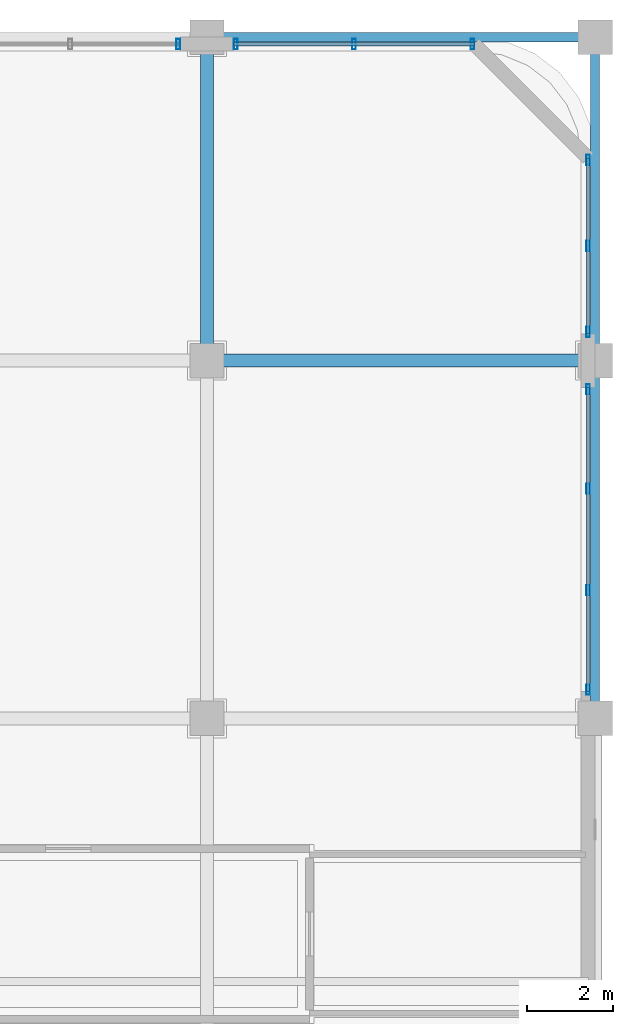
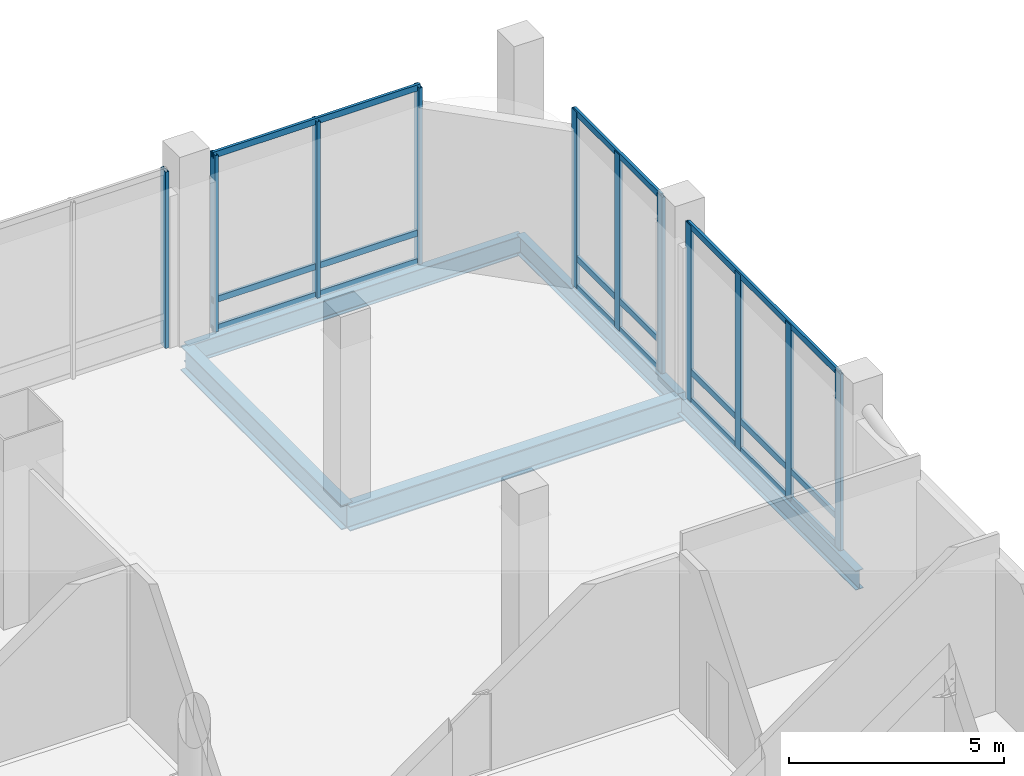
# One storey, part 18 of 35: 20 members, 5 beams, 4 elements without a shape of their own.
"""IFC4 building model written with IfcOpenShell, lengths in metres."""

from ifc_helpers import new_model, si_unit, direction, frame, origin, origin_2d, place, context, subcontext, project, spatial, hollow_rectangle, i_section, extrude, material, material_profile, profile_set, type_object, element, aggregate, save


model = new_model("IFC4")

# Units and contexts
model_context = context("Model", 3, precision=1e-05, world=origin(), true_north=direction((0.0, 1.0)))
body_context = subcontext(model_context, "Body", "Model", "MODEL_VIEW")
ifc_project = project(units=[si_unit("LENGTHUNIT", "METRE"), si_unit("AREAUNIT", "SQUARE_METRE"), si_unit("VOLUMEUNIT", "CUBIC_METRE"), si_unit("PLANEANGLEUNIT", "RADIAN"), si_unit("MASSUNIT", "GRAM", prefix="KILO")], contexts=[model_context])

# Site, building, storey
site_placement = place(None, origin())
site = spatial("IfcSite", under=ifc_project, at=site_placement, CompositionType="ELEMENT")
building_placement = place(site_placement, origin())
building = spatial("IfcBuilding", under=site, at=building_placement, Name="Punatoya Terracotta Tower", CompositionType="ELEMENT")
storey_placement = place(building_placement, frame((0.0, 0.0, 16.800048828125)))
storey = spatial("IfcBuildingStorey", under=building, at=storey_placement, Name="L03", CompositionType="ELEMENT", Elevation=16.800048828125)

# Beams
ifc_material_1 = material(Name="Steel S355", Category="steel")
ifc_material_profile_1 = material_profile(ifc_material_1, i_section(OverallWidth=0.300048828125, OverallDepth=0.699951171875, WebThickness=0.01708984375, FlangeThickness=0.031982421875, FilletRadius=0.01806640625, at=origin_2d()))
ifc_profile_set_1 = profile_set([ifc_material_profile_1], Name="Steel S355")
beam_type_1 = type_object("IfcBeamType", Name="BM-PRI-700", PredefinedType="BEAM", material=ifc_profile_set_1)
beam_1_placement = place(storey_placement, frame((28.0, 17.5, -0.630126953125), z_axis=(1.0, 0.0, 0.0), x_axis=(0.0, 1.0, 0.0)))
element("IfcBeam", 1, at=beam_1_placement, inside=storey, type_object=beam_type_1, Name="BM-L03-GE2", PredefinedType="BEAM", context=body_context, shape_type="SweptSolid", body=[
    extrude(i_section(OverallWidth=0.300048828125, OverallDepth=0.699951171875, WebThickness=0.01708984375, FlangeThickness=0.031982421875, FilletRadius=0.01806640625, at=origin_2d()), origin(), (0.0, 0.0, 1.0), 9.0),
])
beam_2_placement = place(storey_placement, frame((28.0, 17.5, -0.630126953125), z_axis=(0.0, 1.0, 0.0), x_axis=(-1.0, 0.0, 0.0)))
element("IfcBeam", 2, at=beam_2_placement, inside=storey, type_object=beam_type_1, Name="BM-L03-X28E-17", PredefinedType="BEAM", context=body_context, shape_type="SweptSolid", body=[
    extrude(i_section(OverallWidth=0.300048828125, OverallDepth=0.699951171875, WebThickness=0.01708984375, FlangeThickness=0.031982421875, FilletRadius=0.01806640625, at=origin_2d()), origin(), (0.0, 0.0, 1.0), 7.5),
])
ifc_material_profile_2 = material_profile(ifc_material_1, i_section(OverallWidth=0.2099609375, OverallDepth=0.550048828125, WebThickness=0.010986328125, FlangeThickness=0.01708984375, FilletRadius=0.01806640625, at=origin_2d()))
ifc_profile_set_2 = profile_set([ifc_material_profile_2], Name="Steel S355")
beam_type_2 = type_object("IfcBeamType", Name="BM-SPN-550", PredefinedType="SPANDREL", material=ifc_profile_set_2)
beam_3_placement = place(storey_placement, frame((28.0, 25.0, -0.554931640625), z_axis=(1.0, 0.0, 0.0), x_axis=(0.0, 1.0, 0.0)))
element("IfcBeam", 3, at=beam_3_placement, inside=storey, type_object=beam_type_2, Name="BM-L03-HE2", PredefinedType="SPANDREL", context=body_context, shape_type="SweptSolid", body=[
    extrude(i_section(OverallWidth=0.2099609375, OverallDepth=0.550048828125, WebThickness=0.010986328125, FlangeThickness=0.01708984375, FilletRadius=0.01806640625, at=origin_2d()), origin(), (0.0, 0.0, 1.0), 9.0),
])
beam_4_placement = place(storey_placement, frame((37.0, 9.199951171875, -0.554931640625), z_axis=(0.0, 1.0, 0.0), x_axis=(-1.0, 0.0, 0.0)))
element("IfcBeam", 4, at=beam_4_placement, inside=storey, type_object=beam_type_2, Name="BM-L03-X37E-9", PredefinedType="SPANDREL", context=body_context, shape_type="SweptSolid", body=[
    extrude(i_section(OverallWidth=0.2099609375, OverallDepth=0.550048828125, WebThickness=0.010986328125, FlangeThickness=0.01708984375, FilletRadius=0.01806640625, at=origin_2d()), origin(), (0.0, 0.0, 1.0), 8.300048828125),
])
beam_5_placement = place(storey_placement, frame((37.0, 17.5, -0.554931640625), z_axis=(0.0, 1.0, 0.0), x_axis=(-1.0, 0.0, 0.0)))
element("IfcBeam", 5, at=beam_5_placement, inside=storey, type_object=beam_type_2, Name="BM-L03-X37E-17", PredefinedType="SPANDREL", context=body_context, shape_type="SweptSolid", body=[
    extrude(i_section(OverallWidth=0.2099609375, OverallDepth=0.550048828125, WebThickness=0.010986328125, FlangeThickness=0.01708984375, FilletRadius=0.01806640625, at=origin_2d()), origin(), (0.0, 0.0, 1.0), 7.5),
])

# Curtain wall, member
ifc_material_2 = material(Name="Aluminium 6063-T6 + Double Low-E Glass", Category="aluminium")
curtain_wall_type = type_object("IfcCurtainWallType", Name="CW-POD", PredefinedType="NOTDEFINED", material=ifc_material_2)
curtain_wall_1_placement = place(storey_placement, origin())
curtain_wall_1 = element("IfcCurtainWall", 6, at=curtain_wall_1_placement, inside=storey, type_object=curtain_wall_type, Name="L03 Curtain Wall CWP-L03-N6", PredefinedType="NOTDEFINED")
ifc_material_3 = material(Name="Aluminium 6063-T6", Category="aluminium")
ifc_material_profile_3 = material_profile(ifc_material_3, hollow_rectangle(XDim=0.0849609375, YDim=0.239990234375, WallThickness=0.0048828125, at=origin_2d()))
ifc_profile_set_3 = profile_set([ifc_material_profile_3], Name="Aluminium 6063-T6")
member_type_1 = type_object("IfcMemberType", Name="CW-MUL-POD", PredefinedType="MULLION", material=ifc_profile_set_3)
member_1_placement = place(storey_placement, frame((27.3349609375, 24.840087890625, 0.0), z_axis=(0.0, 0.0, 1.0), x_axis=(1.0, 0.0, 0.0)))
member_1 = element("IfcMember", 7, at=member_1_placement, type_object=member_type_1, Name="CWP-L03-N6 Mullion 00", PredefinedType="MULLION", context=body_context, shape_type="SweptSolid", body=[
    extrude(hollow_rectangle(XDim=0.0849609375, YDim=0.239990234375, WallThickness=0.0048828125, at=origin_2d()), origin(), (0.0, 0.0, 1.0), 5.02001953125),
])
aggregate(curtain_wall_1, [member_1])

# Curtain wall, members
curtain_wall_2_placement = place(storey_placement, origin())
curtain_wall_2 = element("IfcCurtainWall", 8, at=curtain_wall_2_placement, inside=storey, type_object=curtain_wall_type, Name="L03 Curtain Wall CWP-L03-N7", PredefinedType="NOTDEFINED")
member_2_placement = place(storey_placement, frame((34.155029296875, 24.840087890625, 0.0), z_axis=(0.0, 0.0, 1.0), x_axis=(1.0, 0.0, 0.0)))
member_2 = element("IfcMember", 9, at=member_2_placement, type_object=member_type_1, Name="CWP-L03-N7 Mullion 00", PredefinedType="MULLION", context=body_context, shape_type="SweptSolid", body=[
    extrude(hollow_rectangle(XDim=0.0849609375, YDim=0.239990234375, WallThickness=0.0048828125, at=origin_2d()), origin(), (0.0, 0.0, 1.0), 5.02001953125),
])
member_3_placement = place(storey_placement, frame((31.409912109375, 24.840087890625, 0.0), z_axis=(0.0, 0.0, 1.0), x_axis=(1.0, 0.0, 0.0)))
member_3 = element("IfcMember", 10, at=member_3_placement, type_object=member_type_1, Name="CWP-L03-N7 Mullion 01", PredefinedType="MULLION", context=body_context, shape_type="SweptSolid", body=[
    extrude(hollow_rectangle(XDim=0.0849609375, YDim=0.239990234375, WallThickness=0.0048828125, at=origin_2d()), origin(), (0.0, 0.0, 1.0), 5.02001953125),
])
member_4_placement = place(storey_placement, frame((28.6650390625, 24.840087890625, 0.0), z_axis=(0.0, 0.0, 1.0), x_axis=(1.0, 0.0, 0.0)))
member_4 = element("IfcMember", 11, at=member_4_placement, type_object=member_type_1, Name="CWP-L03-N7 Mullion 02", PredefinedType="MULLION", context=body_context, shape_type="SweptSolid", body=[
    extrude(hollow_rectangle(XDim=0.0849609375, YDim=0.239990234375, WallThickness=0.0048828125, at=origin_2d()), origin(), (0.0, 0.0, 1.0), 5.02001953125),
])

curtain_wall_3_placement = place(storey_placement, origin())
curtain_wall_3 = element("IfcCurtainWall", 12, at=curtain_wall_3_placement, inside=storey, type_object=curtain_wall_type, Name="L03 Curtain Wall CWP-L03-E3", PredefinedType="NOTDEFINED")
member_5_placement = place(storey_placement, frame((36.840087890625, 16.8349609375, 0.0), z_axis=(0.0, 0.0, 1.0), x_axis=(1.0, 0.0, 0.0)))
member_5 = element("IfcMember", 13, at=member_5_placement, type_object=member_type_1, Name="CWP-L03-E3 Mullion 00", PredefinedType="MULLION", context=body_context, shape_type="SweptSolid", body=[
    extrude(hollow_rectangle(XDim=0.0849609375, YDim=0.239990234375, WallThickness=0.0048828125, at=origin_2d()), origin(), (0.0, 0.0, 1.0), 5.02001953125),
])
member_6_placement = place(storey_placement, frame((36.840087890625, 14.526611328125, 0.0), z_axis=(0.0, 0.0, 1.0), x_axis=(1.0, 0.0, 0.0)))
member_6 = element("IfcMember", 14, at=member_6_placement, type_object=member_type_1, Name="CWP-L03-E3 Mullion 01", PredefinedType="MULLION", context=body_context, shape_type="SweptSolid", body=[
    extrude(hollow_rectangle(XDim=0.0849609375, YDim=0.239990234375, WallThickness=0.0048828125, at=origin_2d()), origin(), (0.0, 0.0, 1.0), 5.02001953125),
])
member_7_placement = place(storey_placement, frame((36.840087890625, 12.17333984375, 0.0), z_axis=(0.0, 0.0, 1.0), x_axis=(1.0, 0.0, 0.0)))
member_7 = element("IfcMember", 15, at=member_7_placement, type_object=member_type_1, Name="CWP-L03-E3 Mullion 02", PredefinedType="MULLION", context=body_context, shape_type="SweptSolid", body=[
    extrude(hollow_rectangle(XDim=0.0849609375, YDim=0.239990234375, WallThickness=0.0048828125, at=origin_2d()), origin(), (0.0, 0.0, 1.0), 5.02001953125),
])
member_8_placement = place(storey_placement, frame((36.840087890625, 9.864990234375, 0.0), z_axis=(0.0, 0.0, 1.0), x_axis=(1.0, 0.0, 0.0)))
member_8 = element("IfcMember", 16, at=member_8_placement, type_object=member_type_1, Name="CWP-L03-E3 Mullion 03", PredefinedType="MULLION", context=body_context, shape_type="SweptSolid", body=[
    extrude(hollow_rectangle(XDim=0.0849609375, YDim=0.239990234375, WallThickness=0.0048828125, at=origin_2d()), origin(), (0.0, 0.0, 1.0), 5.02001953125),
])

curtain_wall_4_placement = place(storey_placement, origin())
curtain_wall_4 = element("IfcCurtainWall", 17, at=curtain_wall_4_placement, inside=storey, type_object=curtain_wall_type, Name="L03 Curtain Wall CWP-L03-E4", PredefinedType="NOTDEFINED")
member_9_placement = place(storey_placement, frame((36.840087890625, 22.155029296875, 0.0), z_axis=(0.0, 0.0, 1.0), x_axis=(1.0, 0.0, 0.0)))
member_9 = element("IfcMember", 18, at=member_9_placement, type_object=member_type_1, Name="CWP-L03-E4 Mullion 00", PredefinedType="MULLION", context=body_context, shape_type="SweptSolid", body=[
    extrude(hollow_rectangle(XDim=0.0849609375, YDim=0.239990234375, WallThickness=0.0048828125, at=origin_2d()), origin(), (0.0, 0.0, 1.0), 5.02001953125),
])
member_10_placement = place(storey_placement, frame((36.840087890625, 20.159912109375, 0.0), z_axis=(0.0, 0.0, 1.0), x_axis=(1.0, 0.0, 0.0)))
member_10 = element("IfcMember", 19, at=member_10_placement, type_object=member_type_1, Name="CWP-L03-E4 Mullion 01", PredefinedType="MULLION", context=body_context, shape_type="SweptSolid", body=[
    extrude(hollow_rectangle(XDim=0.0849609375, YDim=0.239990234375, WallThickness=0.0048828125, at=origin_2d()), origin(), (0.0, 0.0, 1.0), 5.02001953125),
])
member_11_placement = place(storey_placement, frame((36.840087890625, 18.1650390625, 0.0), z_axis=(0.0, 0.0, 1.0), x_axis=(1.0, 0.0, 0.0)))
member_11 = element("IfcMember", 20, at=member_11_placement, type_object=member_type_1, Name="CWP-L03-E4 Mullion 02", PredefinedType="MULLION", context=body_context, shape_type="SweptSolid", body=[
    extrude(hollow_rectangle(XDim=0.0849609375, YDim=0.239990234375, WallThickness=0.0048828125, at=origin_2d()), origin(), (0.0, 0.0, 1.0), 5.02001953125),
])

# Member
ifc_material_profile_4 = material_profile(ifc_material_3, hollow_rectangle(XDim=0.074951171875, YDim=0.175048828125, WallThickness=0.00439453125, at=origin_2d()))
ifc_profile_set_4 = profile_set([ifc_material_profile_4], Name="Aluminium 6063-T6")
member_type_2 = type_object("IfcMemberType", Name="CW-TRN-POD", PredefinedType="USERDEFINED", material=ifc_profile_set_4)
member_12_placement = place(storey_placement, frame((34.199951171875, 24.840087890625, 0.0400390625), z_axis=(-1.0, 0.0, 0.0), x_axis=(0.0, -1.0, 0.0)))
member_12 = element("IfcMember", 21, at=member_12_placement, type_object=member_type_2, Name="CWP-L03-N7 Transom 1", ObjectType="TRANSOM", PredefinedType="USERDEFINED", context=body_context, shape_type="SweptSolid", body=[
    extrude(hollow_rectangle(XDim=0.074951171875, YDim=0.175048828125, WallThickness=0.00439453125, at=origin_2d()), origin(), (0.0, 0.0, 1.0), 5.579833984375),
])

member_13_placement = place(storey_placement, frame((34.199951171875, 24.840087890625, 0.849853515625), z_axis=(-1.0, 0.0, 0.0), x_axis=(0.0, -1.0, 0.0)))
member_13 = element("IfcMember", 22, at=member_13_placement, type_object=member_type_2, Name="CWP-L03-N7 Transom 2", ObjectType="TRANSOM", PredefinedType="USERDEFINED", context=body_context, shape_type="SweptSolid", body=[
    extrude(hollow_rectangle(XDim=0.074951171875, YDim=0.175048828125, WallThickness=0.00439453125, at=origin_2d()), origin(), (0.0, 0.0, 1.0), 5.579833984375),
])

member_14_placement = place(storey_placement, frame((34.199951171875, 24.840087890625, 4.97998046875), z_axis=(-1.0, 0.0, 0.0), x_axis=(0.0, -1.0, 0.0)))
member_14 = element("IfcMember", 23, at=member_14_placement, type_object=member_type_2, Name="CWP-L03-N7 Transom 3", ObjectType="TRANSOM", PredefinedType="USERDEFINED", context=body_context, shape_type="SweptSolid", body=[
    extrude(hollow_rectangle(XDim=0.074951171875, YDim=0.175048828125, WallThickness=0.00439453125, at=origin_2d()), origin(), (0.0, 0.0, 1.0), 5.579833984375),
])

aggregate(curtain_wall_2, [member_2, member_3, member_4, member_12, member_13, member_14])

member_15_placement = place(storey_placement, frame((36.840087890625, 16.8798828125, 0.0400390625), z_axis=(0.0, -1.0, 0.0), x_axis=(1.0, 0.0, 0.0)))
member_15 = element("IfcMember", 24, at=member_15_placement, type_object=member_type_2, Name="CWP-L03-E3 Transom 1", ObjectType="TRANSOM", PredefinedType="USERDEFINED", context=body_context, shape_type="SweptSolid", body=[
    extrude(hollow_rectangle(XDim=0.074951171875, YDim=0.175048828125, WallThickness=0.00439453125, at=origin_2d()), origin(), (0.0, 0.0, 1.0), 7.059814453125),
])

member_16_placement = place(storey_placement, frame((36.840087890625, 16.8798828125, 0.849853515625), z_axis=(0.0, -1.0, 0.0), x_axis=(1.0, 0.0, 0.0)))
member_16 = element("IfcMember", 25, at=member_16_placement, type_object=member_type_2, Name="CWP-L03-E3 Transom 2", ObjectType="TRANSOM", PredefinedType="USERDEFINED", context=body_context, shape_type="SweptSolid", body=[
    extrude(hollow_rectangle(XDim=0.074951171875, YDim=0.175048828125, WallThickness=0.00439453125, at=origin_2d()), origin(), (0.0, 0.0, 1.0), 7.059814453125),
])

member_17_placement = place(storey_placement, frame((36.840087890625, 16.8798828125, 4.97998046875), z_axis=(0.0, -1.0, 0.0), x_axis=(1.0, 0.0, 0.0)))
member_17 = element("IfcMember", 26, at=member_17_placement, type_object=member_type_2, Name="CWP-L03-E3 Transom 3", ObjectType="TRANSOM", PredefinedType="USERDEFINED", context=body_context, shape_type="SweptSolid", body=[
    extrude(hollow_rectangle(XDim=0.074951171875, YDim=0.175048828125, WallThickness=0.00439453125, at=origin_2d()), origin(), (0.0, 0.0, 1.0), 7.059814453125),
])

aggregate(curtain_wall_3, [member_5, member_6, member_7, member_8, member_15, member_16, member_17])

member_18_placement = place(storey_placement, frame((36.840087890625, 22.199951171875, 0.0400390625), z_axis=(0.0, -1.0, 0.0), x_axis=(1.0, 0.0, 0.0)))
member_18 = element("IfcMember", 27, at=member_18_placement, type_object=member_type_2, Name="CWP-L03-E4 Transom 1", ObjectType="TRANSOM", PredefinedType="USERDEFINED", context=body_context, shape_type="SweptSolid", body=[
    extrude(hollow_rectangle(XDim=0.074951171875, YDim=0.175048828125, WallThickness=0.00439453125, at=origin_2d()), origin(), (0.0, 0.0, 1.0), 4.079833984375),
])

member_19_placement = place(storey_placement, frame((36.840087890625, 22.199951171875, 0.849853515625), z_axis=(0.0, -1.0, 0.0), x_axis=(1.0, 0.0, 0.0)))
member_19 = element("IfcMember", 28, at=member_19_placement, type_object=member_type_2, Name="CWP-L03-E4 Transom 2", ObjectType="TRANSOM", PredefinedType="USERDEFINED", context=body_context, shape_type="SweptSolid", body=[
    extrude(hollow_rectangle(XDim=0.074951171875, YDim=0.175048828125, WallThickness=0.00439453125, at=origin_2d()), origin(), (0.0, 0.0, 1.0), 4.079833984375),
])

member_20_placement = place(storey_placement, frame((36.840087890625, 22.199951171875, 4.97998046875), z_axis=(0.0, -1.0, 0.0), x_axis=(1.0, 0.0, 0.0)))
member_20 = element("IfcMember", 29, at=member_20_placement, type_object=member_type_2, Name="CWP-L03-E4 Transom 3", ObjectType="TRANSOM", PredefinedType="USERDEFINED", context=body_context, shape_type="SweptSolid", body=[
    extrude(hollow_rectangle(XDim=0.074951171875, YDim=0.175048828125, WallThickness=0.00439453125, at=origin_2d()), origin(), (0.0, 0.0, 1.0), 4.079833984375),
])

aggregate(curtain_wall_4, [member_9, member_10, member_11, member_18, member_19, member_20])

save(model, "model.ifc")
